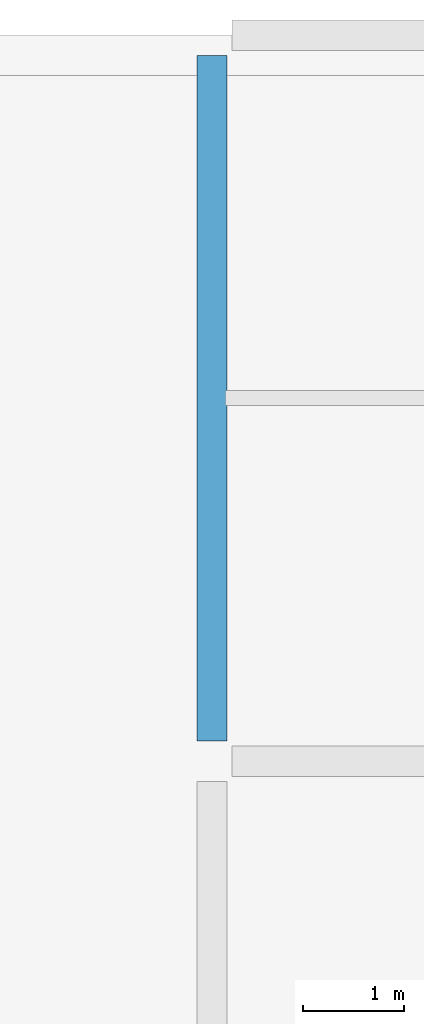
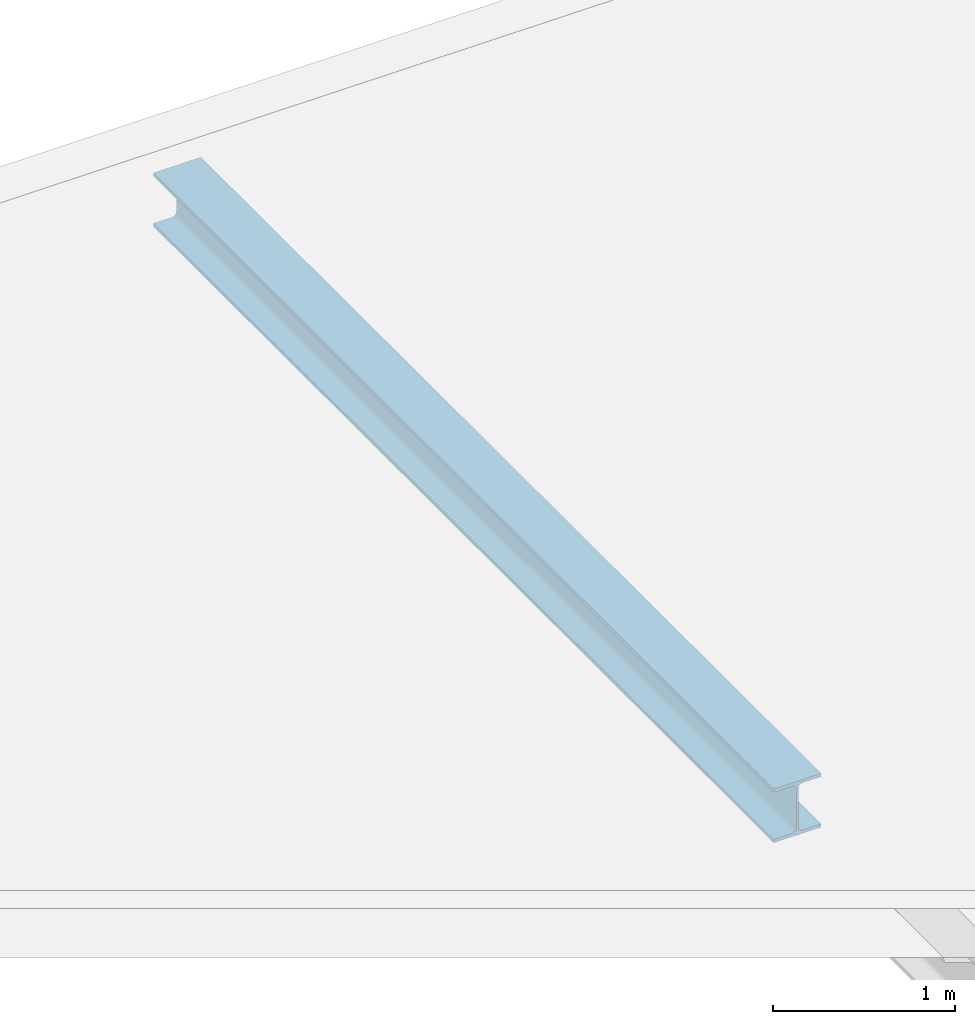
# One storey, part 232 of 397: 1 beam.
"""IFC4 building model written with IfcOpenShell, lengths in metres."""

from ifc_helpers import new_model, si_unit, direction, frame, origin, origin_2d, place, context, subcontext, project, spatial, i_section, extrude, material, material_profile, profile_set, type_object, element, save


model = new_model("IFC4")

# Units and contexts
model_context = context("Model", 3, precision=1e-05, world=origin(), true_north=direction((0.0, 1.0)))
body_context = subcontext(model_context, "Body", "Model", "MODEL_VIEW")
ifc_project = project(units=[si_unit("LENGTHUNIT", "METRE"), si_unit("AREAUNIT", "SQUARE_METRE"), si_unit("VOLUMEUNIT", "CUBIC_METRE"), si_unit("PLANEANGLEUNIT", "RADIAN"), si_unit("MASSUNIT", "GRAM", prefix="KILO")], contexts=[model_context])

# Site, building, storey
site_placement = place(None, origin())
site = spatial("IfcSite", under=ifc_project, at=site_placement, CompositionType="ELEMENT")
building_placement = place(site_placement, origin())
building = spatial("IfcBuilding", under=site, at=building_placement, Name="Qandorah Velis Arena", CompositionType="ELEMENT")
storey_placement = place(building_placement, frame((0.0, 0.0, 27.5)))
storey = spatial("IfcBuildingStorey", under=building, at=storey_placement, Name="RF", CompositionType="ELEMENT", Elevation=27.5)

# Beam
ifc_material = material(Name="Steel S355", Category="steel")
ifc_material_profile = material_profile(ifc_material, i_section(OverallWidth=0.300048828125, OverallDepth=0.360107421875, WebThickness=0.012451171875, FlangeThickness=0.0224609375, FilletRadius=0.027099609375, at=origin_2d()), Name="HEB 360")
ifc_profile_set = profile_set([ifc_material_profile], Name="Steel S355")
beam_type = type_object("IfcBeamType", Name="STR-BM-HEB360", PredefinedType="BEAM", material=ifc_profile_set)
beam_placement = place(storey_placement, frame((28.800048828125, 122.60009765625, -0.39990234375), z_axis=(0.0, 1.0, 0.0), x_axis=(-1.0, 0.0, 0.0)))
element("IfcBeam", 1, at=beam_placement, inside=storey, type_object=beam_type, Name="Primary floor girder RF Y-090", PredefinedType="BEAM", context=body_context, shape_type="SweptSolid", body=[
    extrude(i_section(OverallWidth=0.300048828125, OverallDepth=0.360107421875, WebThickness=0.012451171875, FlangeThickness=0.0224609375, FilletRadius=0.027099609375, at=origin_2d()), origin(), (0.0, 0.0, 1.0), 6.7998046875),
])

save(model, "model.ifc")
